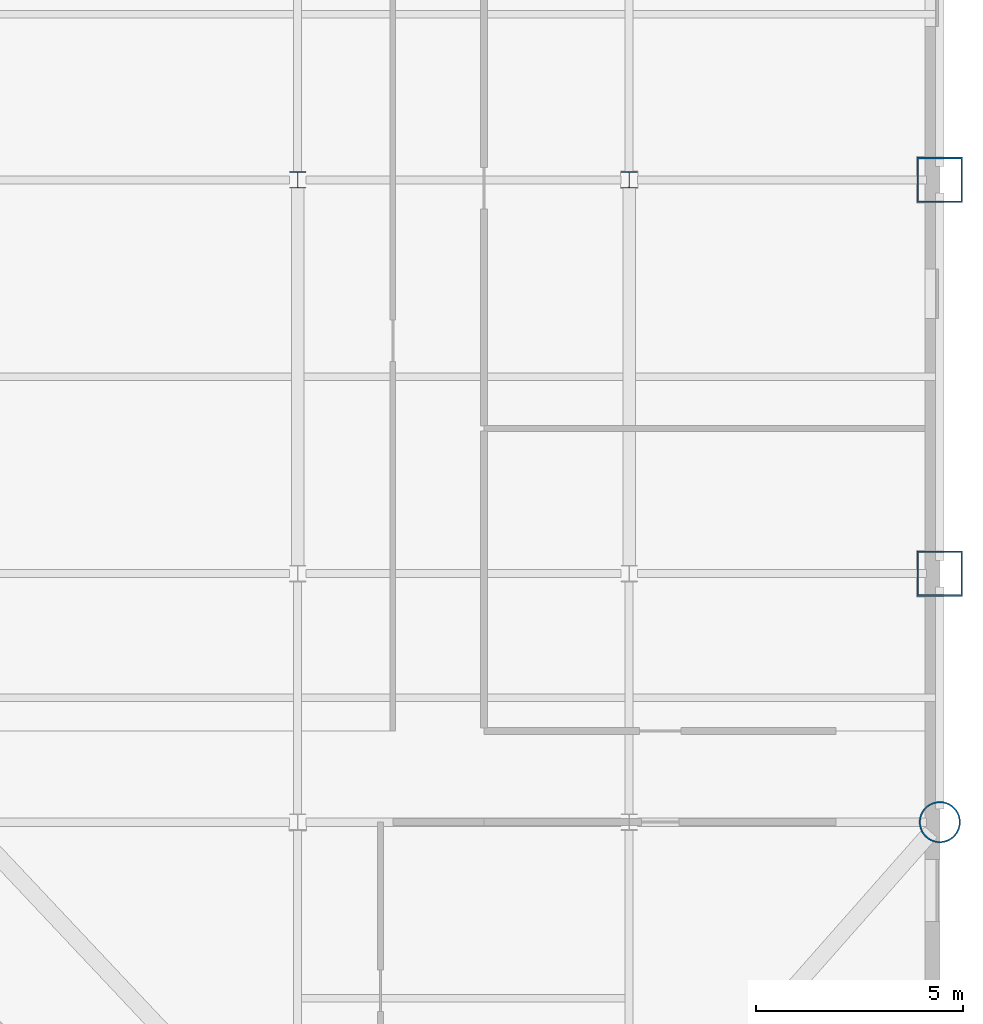
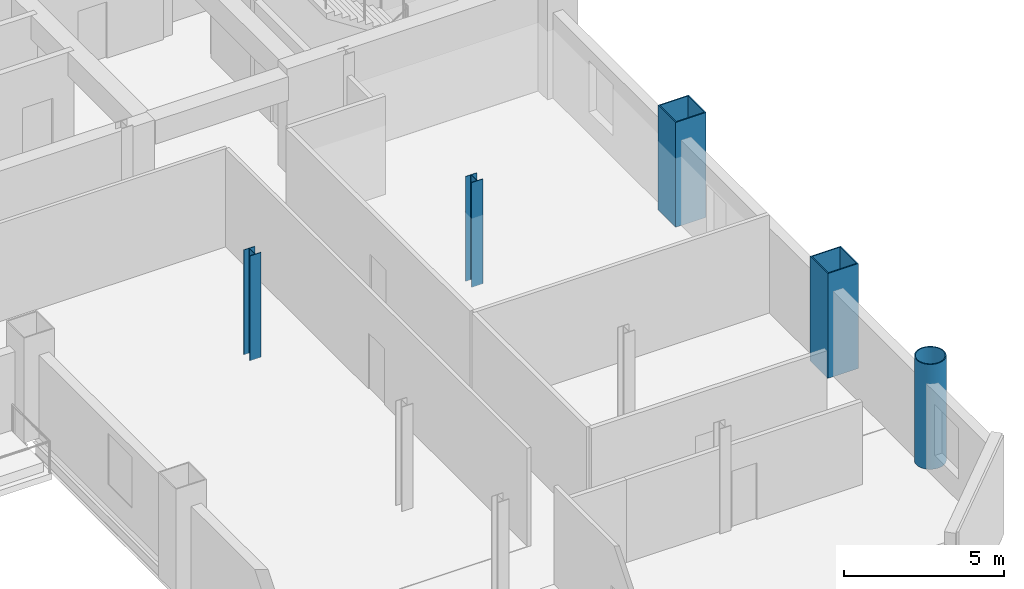
# One storey, part 2 of 10: 5 columns.
"""IFC4 building model written with IfcOpenShell, lengths in metres."""

from ifc_helpers import new_model, si_unit, direction, frame, origin, origin_2d, place, context, subcontext, project, spatial, hollow_rectangle, hollow_circle, i_section, extrude, material, material_profile, profile_set, type_object, element, save


model = new_model("IFC4")

# Units and contexts
model_context = context("Model", 3, precision=1e-05, world=origin(), true_north=direction((0.0, 1.0)))
body_context = subcontext(model_context, "Body", "Model", "MODEL_VIEW")
ifc_project = project(units=[si_unit("LENGTHUNIT", "METRE"), si_unit("AREAUNIT", "SQUARE_METRE"), si_unit("VOLUMEUNIT", "CUBIC_METRE"), si_unit("PLANEANGLEUNIT", "RADIAN"), si_unit("MASSUNIT", "GRAM", prefix="KILO")], contexts=[model_context])

# Site, building, storey
site_placement = place(None, origin())
site = spatial("IfcSite", under=ifc_project, at=site_placement, CompositionType="ELEMENT")
building_placement = place(site_placement, origin())
building = spatial("IfcBuilding", under=site, at=building_placement, Name="Qianrong Seaharbour Tower", CompositionType="ELEMENT")
storey_placement = place(building_placement, frame((0.0, 0.0, 151.0)))
storey = spatial("IfcBuildingStorey", under=building, at=storey_placement, Name="L36", CompositionType="ELEMENT", Elevation=151.0)

# Columns
ifc_material = material(Name="Structural steel SN490B", Category="steel")
ifc_material_profile_1 = material_profile(ifc_material, hollow_rectangle(XDim=1.10009765625, YDim=1.10009765625, WallThickness=0.0400390625, at=origin_2d()), Name="BOX1100x1100x40")
ifc_profile_set_1 = profile_set([ifc_material_profile_1], Name="Structural steel SN490B")
column_type_1 = type_object("IfcColumnType", Name="COL-CFT-1100", PredefinedType="COLUMN", material=ifc_profile_set_1)
for number, where, z_axis, x_axis, name in (
    (1, (64.0, 18.5, 0.0), (0.0, 0.0, 1.0), (1.0, 0.0, 0.0), "L36 Column MC-3 at G9/GD"),
    (2, (64.0, 28.0, 0.0), (0.0, 0.0, 1.0), (1.0, 0.0, 0.0), "L36 Column MC-3 at G9/GE"),
):
    element("IfcColumn", number, at=place(storey_placement, frame(where, z_axis=z_axis, x_axis=x_axis)), inside=storey, type_object=column_type_1, Name=name, PredefinedType="COLUMN", context=body_context, shape_type="SweptSolid", body=[
        extrude(hollow_rectangle(XDim=1.10009765625, YDim=1.10009765625, WallThickness=0.0400390625, at=origin_2d()), origin(), (0.0, 0.0, 1.0), 4.0),
    ])
ifc_material_profile_2 = material_profile(ifc_material, hollow_circle(Radius=0.5, WallThickness=0.035888671875, at=origin_2d()), Name="CHS1000x36")
ifc_profile_set_2 = profile_set([ifc_material_profile_2], Name="Structural steel SN490B")
column_type_2 = type_object("IfcColumnType", Name="COL-CHS-1000", PredefinedType="COLUMN", material=ifc_profile_set_2)
column_placement = place(storey_placement, frame((64.0, 12.5, 0.0), z_axis=(0.0, 0.0, 1.0), x_axis=(1.0, 0.0, 0.0)))
element("IfcColumn", 3, at=column_placement, inside=storey, type_object=column_type_2, Name="L36 Column CC-2 at G9/GC", PredefinedType="COLUMN", context=body_context, shape_type="SweptSolid", body=[
    extrude(hollow_circle(Radius=0.5, WallThickness=0.035888671875, at=origin_2d()), origin(), (0.0, 0.0, 1.0), 4.0),
])
ifc_material_profile_3 = material_profile(ifc_material, i_section(OverallWidth=0.39990234375, OverallDepth=0.39990234375, WebThickness=0.012939453125, FlangeThickness=0.02099609375, FilletRadius=0.02197265625, at=origin_2d()), Name="H400x400x13x21")
ifc_profile_set_3 = profile_set([ifc_material_profile_3], Name="Structural steel SN490B")
column_type_3 = type_object("IfcColumnType", Name="COL-INT-H400", PredefinedType="COLUMN", material=ifc_profile_set_3)
for number, where, z_axis, x_axis, name in (
    (4, (48.5, 28.0, 0.0), (0.0, 0.0, 1.0), (1.0, 0.0, 0.0), "L36 Column IC-3 at G7/GE"),
    (5, (56.5, 28.0, 0.0), (0.0, 0.0, 1.0), (1.0, 0.0, 0.0), "L36 Column IC-3 at G8/GE"),
):
    element("IfcColumn", number, at=place(storey_placement, frame(where, z_axis=z_axis, x_axis=x_axis)), inside=storey, type_object=column_type_3, Name=name, PredefinedType="COLUMN", context=body_context, shape_type="SweptSolid", body=[
        extrude(i_section(OverallWidth=0.39990234375, OverallDepth=0.39990234375, WebThickness=0.012939453125, FlangeThickness=0.02099609375, FilletRadius=0.02197265625, at=origin_2d()), origin(), (0.0, 0.0, 1.0), 4.0),
    ])

save(model, "model.ifc")
